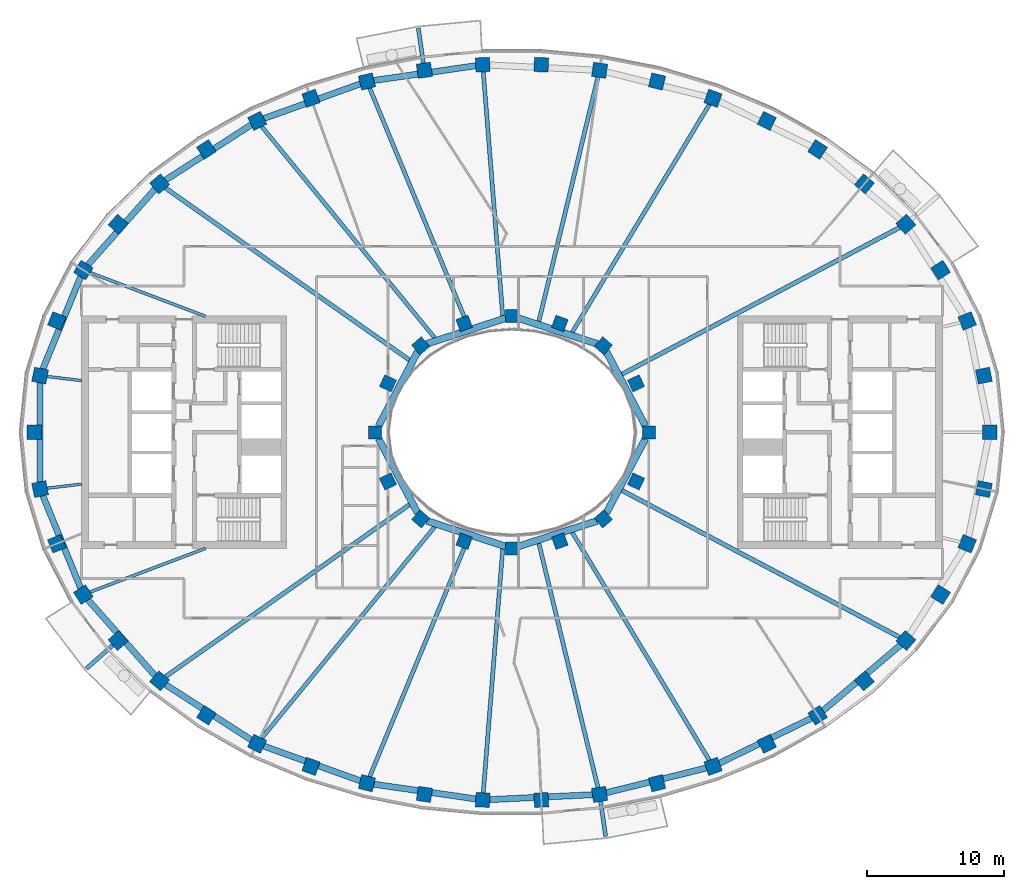
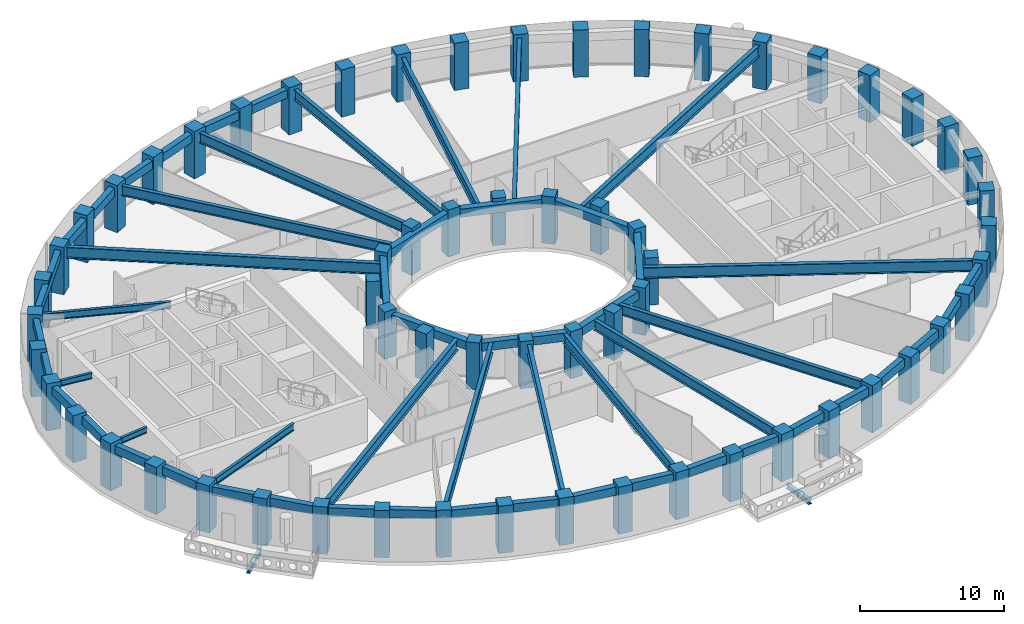
# One storey, part 1 of 16: 62 columns, 44 beams.
"""IFC4 building model written with IfcOpenShell, lengths in metres."""

import ifcopenshell
import ifcopenshell.guid

model = None  # the IFC model being written
_history = None  # IfcOwnerHistory: only IFC2X3 demands one
_inside = {}  # id of a spatial element -> (the spatial element, [elements in it])
_under = {}  # id of a project, library or spatial element -> (it, [spatial elements below it])
_declared = {}  # id of a project -> (the project, [libraries it declares])
_typed = {}  # id of a type object -> (the type object, [elements of that type])
_made_of = {}  # id of a material, layer set ... -> (it, [elements and type objects made of it])


def new_model(schema):
    """Start an empty IFC model of exactly this schema.

    Asked for "IFC4X3", IfcOpenShell would pick the latest addendum, in which some entities
    have other attributes; the version numbers below select the first issue.
    IFC2X3 requires an IfcOwnerHistory on every rooted entity: one is made here for all.
    """
    global model, _history
    if schema == "IFC4X3":
        model = ifcopenshell.file(schema_version=(4, 3, 0, 0))
    else:
        model = ifcopenshell.file(schema=schema)
    _inside.clear()
    _under.clear()
    _declared.clear()
    _typed.clear()
    _made_of.clear()
    _history = None
    if model.schema == "IFC2X3":
        org = make("IfcOrganization", Name="unknown")
        user = make(
            "IfcPersonAndOrganization",
            ThePerson=make("IfcPerson", FamilyName="unknown"),
            TheOrganization=org,
        )
        app = make(
            "IfcApplication",
            ApplicationDeveloper=org,
            Version="unknown",
            ApplicationFullName="unknown",
            ApplicationIdentifier="unknown",
        )
        _history = make(
            "IfcOwnerHistory",
            OwningUser=user,
            OwningApplication=app,
            ChangeAction="ADDED",
            CreationDate=0,
        )
    return model


def make(cls, **values):
    """One entity of the class cls with the attributes given. An attribute that is None is left unset."""
    return model.create_entity(
        cls, **{name: value for name, value in values.items() if value is not None}
    )


def rooted(cls, **values):
    """An entity with a GlobalId (a new one), such as an element, a storey or a relation."""
    return make(cls, GlobalId=ifcopenshell.guid.new(), OwnerHistory=_history, **values)


def si_unit(unit_type, name, prefix=None):
    """IfcSIUnit, for example si_unit("LENGTHUNIT", "METRE", prefix="MILLI")."""
    return make("IfcSIUnit", UnitType=unit_type, Prefix=prefix, Name=name)


def assignment(units):
    """IfcUnitAssignment: the units of a project."""
    return None if units is None else make("IfcUnitAssignment", Units=units)


def point(xyz):
    """IfcCartesianPoint."""
    return None if xyz is None else make("IfcCartesianPoint", Coordinates=xyz)


def direction(xyz):
    """IfcDirection."""
    return None if xyz is None else make("IfcDirection", DirectionRatios=xyz)


def frame(location, z_axis=None, x_axis=None):
    """IfcAxis2Placement3D, a coordinate frame: its origin and axes. An axis left out is left unset."""
    return make(
        "IfcAxis2Placement3D",
        Location=point(location),
        Axis=direction(z_axis),
        RefDirection=direction(x_axis),
    )


def frame_2d(location, x_axis=None):
    """IfcAxis2Placement2D, a coordinate frame in the plane: its origin and x axis."""
    return make(
        "IfcAxis2Placement2D", Location=point(location), RefDirection=direction(x_axis)
    )


def origin():
    """The frame at (0, 0, 0) with its axes left unset."""
    return frame((0.0, 0.0, 0.0))


def origin_2d():
    """The frame at (0, 0) in the plane with its x axis left unset."""
    return frame_2d((0.0, 0.0))


def place(relative_to, where):
    """IfcLocalPlacement: puts the frame where relative to a parent placement (None: the world)."""
    return make(
        "IfcLocalPlacement", PlacementRelTo=relative_to, RelativePlacement=where
    )


def context(
    kind, dimensions, precision=None, world=None, true_north=None, identifier=None
):
    """IfcGeometricRepresentationContext, for example the 3D "Model" context."""
    return make(
        "IfcGeometricRepresentationContext",
        ContextIdentifier=identifier,
        ContextType=kind,
        CoordinateSpaceDimension=dimensions,
        Precision=precision,
        WorldCoordinateSystem=world,
        TrueNorth=true_north,
    )


def subcontext(parent, identifier, kind, view, scale=None):
    """IfcGeometricRepresentationSubContext, for example "Body" below "Model"."""
    return make(
        "IfcGeometricRepresentationSubContext",
        ContextIdentifier=identifier,
        ContextType=kind,
        ParentContext=parent,
        TargetScale=scale,
        TargetView=view,
    )


def project(units=None, contexts=None):
    """IfcProject with its units and contexts."""
    return rooted(
        "IfcProject",
        Name="project",
        RepresentationContexts=contexts,
        UnitsInContext=assignment(units),
    )


def spatial(cls, under=None, at=None, **own):
    """A site, building, storey or space (cls), placed at a placement, below another one or the project."""
    s = rooted(cls, ObjectPlacement=at, **own)
    if under is not None:
        _under.setdefault(under.id(), (under, []))[1].append(s)
    return s


def profile(cls, at=None, kind="AREA", **sizes):
    """A parametric profile (cls). Its sizes go by their IFC names, for example OverallWidth=200.0."""
    return make(cls, ProfileType=kind, Position=at, **sizes)


def rectangle(**sizes):
    """IfcRectangleProfileDef."""
    return profile("IfcRectangleProfileDef", **sizes)


def i_section(**sizes):
    """IfcIShapeProfileDef."""
    return profile("IfcIShapeProfileDef", **sizes)


def extrude(swept, where, along, depth):
    """IfcExtrudedAreaSolid: the profile swept, set in the frame where, extruded along a direction by depth."""
    return make(
        "IfcExtrudedAreaSolid",
        SweptArea=swept,
        Position=where,
        ExtrudedDirection=direction(along),
        Depth=depth,
    )


def shape(context_of_items, identifier, shape_type, items):
    """IfcShapeRepresentation: the items that make up one representation, for example the "Body"."""
    return make(
        "IfcShapeRepresentation",
        ContextOfItems=context_of_items,
        RepresentationIdentifier=identifier,
        RepresentationType=shape_type,
        Items=items,
    )


def material(Name=None, Category=None):
    """IfcMaterial."""
    return make("IfcMaterial", Name=Name, Category=Category)


def material_profile(
    of_material, cross_section, Name=None, Category=None, Priority=None
):
    """IfcMaterialProfile: a cross section and its material."""
    return make(
        "IfcMaterialProfile",
        Name=Name,
        Material=of_material,
        Profile=cross_section,
        Priority=Priority,
        Category=Category,
    )


def profile_set(profiles, Name=None, composite=None):
    """IfcMaterialProfileSet."""
    return make(
        "IfcMaterialProfileSet",
        Name=Name,
        MaterialProfiles=profiles,
        CompositeProfile=composite,
    )


def made_of(thing, what):
    """Note that an element or type object is made of a material, layer set ...; save() writes the relation."""
    if what is not None:
        _made_of.setdefault(what.id(), (what, []))[1].append(thing)
    return thing


def type_object(cls, material=None, **own):
    """A type object (cls), such as IfcWallType, which elements share."""
    return made_of(rooted(cls, **own), material)


def element(
    cls,
    number,
    at=None,
    inside=None,
    cuts=None,
    type_object=None,
    material=None,
    context=None,
    identifier="Body",
    shape_type=None,
    held_by="IfcProductDefinitionShape",
    body=None,
    shapes=None,
    **own,
):
    """One element of the class cls, such as IfcWall. Its Tag is "e" and its number.

    at: its placement. inside: the storey or other place that contains it. cuts: it is an
    opening in that element (IfcRelVoidsElement). A single representation is given by context,
    identifier, shape_type and body (its items); several are given by shapes. held_by: the class
    of the entity that holds the representations. save() writes the other relations.
    """
    e = rooted(cls, Tag="e%d" % number, ObjectPlacement=at, **own)
    if body is not None:
        shapes = [shape(context, identifier, shape_type, body)]
    if shapes is not None:
        e.Representation = make(held_by, Representations=shapes)
    if inside is not None:
        _inside.setdefault(inside.id(), (inside, []))[1].append(e)
    if cuts is not None:
        rooted(
            "IfcRelVoidsElement", RelatingBuildingElement=cuts, RelatedOpeningElement=e
        )
    if type_object is not None:
        _typed.setdefault(type_object.id(), (type_object, []))[1].append(e)
    return made_of(e, material)


def aggregate(whole, parts):
    """IfcRelAggregates: a whole, such as a stair, and the parts it consists of."""
    return rooted("IfcRelAggregates", RelatingObject=whole, RelatedObjects=parts)


def save(model, path):
    """Write the relations noted so far, then the file.

    IfcRelAggregates (storeys below a building ...), IfcRelContainedInSpatialStructure (elements
    in a storey), IfcRelDefinesByType, IfcRelAssociatesMaterial and IfcRelDeclares: one each for
    every whole, place, type object, material and project.
    """
    for whole, parts in _under.values():
        aggregate(whole, parts)
    for where, things in _inside.values():
        rooted(
            "IfcRelContainedInSpatialStructure",
            RelatedElements=things,
            RelatingStructure=where,
        )
    for kind, things in _typed.values():
        rooted("IfcRelDefinesByType", RelatedObjects=things, RelatingType=kind)
    for what, things in _made_of.values():
        rooted("IfcRelAssociatesMaterial", RelatedObjects=things, RelatingMaterial=what)
    for by, libraries in _declared.values():
        rooted("IfcRelDeclares", RelatingContext=by, RelatedDefinitions=libraries)
    model.write(path)


model = new_model("IFC4")

# Units and contexts
model_context = context("Model", 3, precision=1e-05, world=origin(), true_north=direction((0.0, 1.0)))
body_context = subcontext(model_context, "Body", "Model", "MODEL_VIEW")
ifc_project = project(units=[si_unit("LENGTHUNIT", "METRE"), si_unit("AREAUNIT", "SQUARE_METRE"), si_unit("VOLUMEUNIT", "CUBIC_METRE"), si_unit("PLANEANGLEUNIT", "RADIAN"), si_unit("MASSUNIT", "GRAM", prefix="KILO")], contexts=[model_context])

# Site, building, storey
site_placement = place(None, origin())
site = spatial("IfcSite", under=ifc_project, at=site_placement, CompositionType="ELEMENT")
building_placement = place(site_placement, origin())
building = spatial("IfcBuilding", under=site, at=building_placement, Name="Noorbagh Ring Tower", CompositionType="ELEMENT")
storey_placement = place(building_placement, frame((0.0, 0.0, 281.5)))
storey = spatial("IfcBuildingStorey", under=building, at=storey_placement, Name="L60", CompositionType="ELEMENT", Elevation=281.5)

# Columns
ifc_material_1 = material(Name="Concrete C50/60", Category="concrete")
ifc_material_profile_1 = material_profile(ifc_material_1, rectangle(XDim=1.050048828125, YDim=1.050048828125, at=origin_2d()), Name="RC1050x1050")
ifc_profile_set_1 = profile_set([ifc_material_profile_1], Name="Concrete C50/60")
column_type_1 = type_object("IfcColumnType", Name="STR-COL-RC1050x1050-C50-60", PredefinedType="COLUMN", material=ifc_profile_set_1)
for number, where, z_axis, x_axis, name in (
    (1, (34.944580078125, 0.0, 0.0), (0.0, 0.0, 1.0), (0.0, 1.0, 0.0), "L60/col/R1-01"),
    (2, (34.52685546875, 4.150634765625, 0.0), (0.0, 0.0, 1.0), (-0.19723040178, 0.9803571638, 0.0), "L60/col/R1-02"),
    (3, (33.30517578125, 8.1494140625, 0.0), (0.0, 0.0, 1.0), (-0.378989499959, 0.925400971969, 0.0), "L60/col/R1-03"),
    (4, (31.364990234375, 11.87109375, 0.0), (0.0, 0.0, 1.0), (-0.535190403059, 0.844731455833, 0.0), "L60/col/R1-04"),
    (5, (28.81884765625, 15.23046875, 0.0), (0.0, 0.0, 1.0), (-0.662635642662, 0.748941923699, 0.0), "L60/col/R1-05"),
    (6, (25.78271484375, 18.180419921875, 0.0), (0.0, 0.0, 1.0), (-0.763035199656, 0.646356932419, 0.0), "L60/col/R1-06"),
    (7, (22.362060546875, 20.699951171875, 0.0), (0.0, 0.0, 1.0), (-0.840247639643, 0.542202825586, 0.0), "L60/col/R1-07"),
    (8, (18.646240234375, 22.785400390625, 0.0), (0.0, 0.0, 1.0), (-0.898399080868, 0.439180021741, 0.0), "L60/col/R1-08"),
    (9, (14.70947265625, 24.44091796875, 0.0), (0.0, 0.0, 1.0), (-0.941024726094, 0.338337797003, 0.0), "L60/col/R1-09"),
    (10, (10.61328125, 25.673583984375, 0.0), (0.0, 0.0, 1.0), (-0.970829360981, 0.239771457553, 0.0), "L60/col/R1-10"),
    (11, (6.4091796875, 26.49072265625, 0.0), (0.0, 0.0, 1.0), (-0.989713114048, 0.143066249975, 0.0), "L60/col/R1-11"),
    (12, (2.14306640625, 26.89794921875, 0.0), (0.0, 0.0, 1.0), (-0.998868731212, 0.047552684538, 0.0), "L60/col/R1-12"),
    (13, (-2.14306640625, 26.89794921875, 0.0), (0.0, 0.0, 1.0), (-0.998868731212, -0.047552684538, 0.0), "L60/col/R1-13"),
    (14, (-6.4091796875, 26.49072265625, 0.0), (0.0, 0.0, 1.0), (-0.989713114048, -0.143066249975, 0.0), "L60/col/R1-14"),
    (15, (-10.61328125, 25.673583984375, 0.0), (0.0, 0.0, 1.0), (-0.970829360981, -0.239771457553, 0.0), "L60/col/R1-15"),
    (16, (-14.70947265625, 24.44091796875, 0.0), (0.0, 0.0, 1.0), (-0.941024726094, -0.338337797003, 0.0), "L60/col/R1-16"),
    (17, (-18.646240234375, 22.785400390625, 0.0), (0.0, 0.0, 1.0), (-0.898399080868, -0.439180021741, 0.0), "L60/col/R1-17"),
    (18, (-22.362060546875, 20.699951171875, 0.0), (0.0, 0.0, 1.0), (-0.840247639643, -0.542202825586, 0.0), "L60/col/R1-18"),
    (19, (-25.78271484375, 18.180419921875, 0.0), (0.0, 0.0, 1.0), (-0.763035199656, -0.646356932419, 0.0), "L60/col/R1-19"),
    (20, (-28.81884765625, 15.23046875, 0.0), (0.0, 0.0, 1.0), (-0.662635642662, -0.748941923699, 0.0), "L60/col/R1-20"),
    (21, (-31.364990234375, 11.87109375, 0.0), (0.0, 0.0, 1.0), (-0.535190403059, -0.844731455833, 0.0), "L60/col/R1-21"),
    (22, (-33.30517578125, 8.1494140625, 0.0), (0.0, 0.0, 1.0), (-0.378989499959, -0.925400971969, 0.0), "L60/col/R1-22"),
    (23, (-34.52685546875, 4.150634765625, 0.0), (0.0, 0.0, 1.0), (-0.19723040178, -0.9803571638, 0.0), "L60/col/R1-23"),
    (24, (-34.944580078125, 0.0, 0.0), (0.0, 0.0, 1.0), (0.0, -1.0, 0.0), "L60/col/R1-24"),
    (25, (-34.52685546875, -4.150634765625, 0.0), (0.0, 0.0, 1.0), (0.19723040178, -0.9803571638, 0.0), "L60/col/R1-25"),
    (26, (-33.30517578125, -8.1494140625, 0.0), (0.0, 0.0, 1.0), (0.378989499959, -0.925400971969, 0.0), "L60/col/R1-26"),
    (27, (-31.364990234375, -11.87109375, 0.0), (0.0, 0.0, 1.0), (0.535190403059, -0.844731455833, 0.0), "L60/col/R1-27"),
    (28, (-28.81884765625, -15.23046875, 0.0), (0.0, 0.0, 1.0), (0.662635642662, -0.748941923699, 0.0), "L60/col/R1-28"),
    (29, (-25.78271484375, -18.180419921875, 0.0), (0.0, 0.0, 1.0), (0.763035199656, -0.646356932419, 0.0), "L60/col/R1-29"),
    (30, (-22.362060546875, -20.699951171875, 0.0), (0.0, 0.0, 1.0), (0.840247639643, -0.542202825586, 0.0), "L60/col/R1-30"),
    (31, (-18.646240234375, -22.785400390625, 0.0), (0.0, 0.0, 1.0), (0.898399080868, -0.439180021741, 0.0), "L60/col/R1-31"),
    (32, (-14.70947265625, -24.44091796875, 0.0), (0.0, 0.0, 1.0), (0.941024726094, -0.338337797003, 0.0), "L60/col/R1-32"),
    (33, (-10.61328125, -25.673583984375, 0.0), (0.0, 0.0, 1.0), (0.970829360981, -0.239771457553, 0.0), "L60/col/R1-33"),
    (34, (-6.4091796875, -26.49072265625, 0.0), (0.0, 0.0, 1.0), (0.989713114048, -0.143066249975, 0.0), "L60/col/R1-34"),
    (35, (-2.14306640625, -26.89794921875, 0.0), (0.0, 0.0, 1.0), (0.998868731212, -0.047552684538, 0.0), "L60/col/R1-35"),
    (36, (2.14306640625, -26.89794921875, 0.0), (0.0, 0.0, 1.0), (0.998868731212, 0.047552684538, 0.0), "L60/col/R1-36"),
    (37, (6.4091796875, -26.49072265625, 0.0), (0.0, 0.0, 1.0), (0.989713114048, 0.143066249975, 0.0), "L60/col/R1-37"),
    (38, (10.61328125, -25.673583984375, 0.0), (0.0, 0.0, 1.0), (0.970829360981, 0.239771457553, 0.0), "L60/col/R1-38"),
    (39, (14.70947265625, -24.44091796875, 0.0), (0.0, 0.0, 1.0), (0.941024726094, 0.338337797003, 0.0), "L60/col/R1-39"),
    (40, (18.646240234375, -22.785400390625, 0.0), (0.0, 0.0, 1.0), (0.898399080868, 0.439180021741, 0.0), "L60/col/R1-40"),
    (41, (22.362060546875, -20.699951171875, 0.0), (0.0, 0.0, 1.0), (0.840247639643, 0.542202825586, 0.0), "L60/col/R1-41"),
    (42, (25.78271484375, -18.180419921875, 0.0), (0.0, 0.0, 1.0), (0.763035199656, 0.646356932419, 0.0), "L60/col/R1-42"),
    (43, (28.81884765625, -15.23046875, 0.0), (0.0, 0.0, 1.0), (0.662635642662, 0.748941923699, 0.0), "L60/col/R1-43"),
    (44, (31.364990234375, -11.87109375, 0.0), (0.0, 0.0, 1.0), (0.535190403059, 0.844731455833, 0.0), "L60/col/R1-44"),
    (45, (33.30517578125, -8.1494140625, 0.0), (0.0, 0.0, 1.0), (0.378989499959, 0.925400971969, 0.0), "L60/col/R1-45"),
    (46, (34.52685546875, -4.150634765625, 0.0), (0.0, 0.0, 1.0), (0.19723040178, 0.9803571638, 0.0), "L60/col/R1-46"),
):
    element("IfcColumn", number, at=place(storey_placement, frame(where, z_axis=z_axis, x_axis=x_axis)), inside=storey, type_object=column_type_1, Name=name, PredefinedType="COLUMN", context=body_context, shape_type="SweptSolid", body=[
        extrude(rectangle(XDim=1.050048828125, YDim=1.050048828125, at=origin_2d()), origin(), (0.0, 0.0, 1.0), 4.0),
    ])
ifc_material_2 = material(Name="Concrete C50/60", Category="concrete")
ifc_material_profile_2 = material_profile(ifc_material_2, rectangle(XDim=0.949951171875, YDim=0.949951171875, at=origin_2d()), Name="RC950x950")
ifc_profile_set_2 = profile_set([ifc_material_profile_2], Name="Concrete C50/60")
column_type_2 = type_object("IfcColumnType", Name="STR-ICOL-RC950x950-C50-60", PredefinedType="COLUMN", material=ifc_profile_set_2)
for number, where, z_axis, x_axis, name in (
    (47, (10.00830078125, 0.0, 0.0), (0.0, 0.0, 1.0), (0.0, 1.0, 0.0), "L60/col/IR2-W01"),
    (48, (9.07568359375, 3.58837890625, 0.0), (0.0, 0.0, 1.0), (-0.428666979171, 0.903462573087, 0.0), "L60/col/IR2-W03"),
    (49, (6.68212890625, 6.333740234375, 0.0), (0.0, 0.0, 1.0), (-0.75102249095, 0.660276622399, 0.0), "L60/col/IR2-W05"),
    (50, (3.5009765625, 7.967041015625, 0.0), (0.0, 0.0, 1.0), (-0.939019578916, 0.343863679984, 0.0), "L60/col/IR2-W07"),
    (51, (0.0, 8.5029296875, 0.0), (0.0, 0.0, 1.0), (-1.0, 0.0, 0.0), "L60/col/IR2-W09"),
    (52, (-3.5009765625, 7.967041015625, 0.0), (0.0, 0.0, 1.0), (-0.939019578916, -0.343863679984, 0.0), "L60/col/IR2-W11"),
    (53, (-6.68212890625, 6.333740234375, 0.0), (0.0, 0.0, 1.0), (-0.75102249095, -0.660276622399, 0.0), "L60/col/IR2-W13"),
    (54, (-9.07568359375, 3.58837890625, 0.0), (0.0, 0.0, 1.0), (-0.428666979171, -0.903462573087, 0.0), "L60/col/IR2-W15"),
    (55, (-10.00830078125, 0.0, 0.0), (0.0, 0.0, 1.0), (0.0, -1.0, 0.0), "L60/col/IR2-W17"),
    (56, (-9.07568359375, -3.58837890625, 0.0), (0.0, 0.0, 1.0), (0.428666979171, -0.903462573087, 0.0), "L60/col/IR2-W19"),
    (57, (-6.68212890625, -6.333740234375, 0.0), (0.0, 0.0, 1.0), (0.75102249095, -0.660276622399, 0.0), "L60/col/IR2-W21"),
    (58, (-3.5009765625, -7.967041015625, 0.0), (0.0, 0.0, 1.0), (0.939019578916, -0.343863679984, 0.0), "L60/col/IR2-W23"),
    (59, (0.0, -8.5029296875, 0.0), (0.0, 0.0, 1.0), (1.0, 0.0, 0.0), "L60/col/IR2-W25"),
    (60, (3.5009765625, -7.967041015625, 0.0), (0.0, 0.0, 1.0), (0.939019578916, 0.343863679984, 0.0), "L60/col/IR2-W27"),
    (61, (6.68212890625, -6.333740234375, 0.0), (0.0, 0.0, 1.0), (0.75102249095, 0.660276622399, 0.0), "L60/col/IR2-W29"),
    (62, (9.07568359375, -3.58837890625, 0.0), (0.0, 0.0, 1.0), (0.428666979171, 0.903462573087, 0.0), "L60/col/IR2-W31"),
):
    element("IfcColumn", number, at=place(storey_placement, frame(where, z_axis=z_axis, x_axis=x_axis)), inside=storey, type_object=column_type_2, Name=name, PredefinedType="COLUMN", context=body_context, shape_type="SweptSolid", body=[
        extrude(rectangle(XDim=0.949951171875, YDim=0.949951171875, at=origin_2d()), origin(), (0.0, 0.0, 1.0), 4.0),
    ])

# Beams
ifc_material_3 = material(Name="Steel S355", Category="steel")
ifc_material_profile_3 = material_profile(ifc_material_3, i_section(OverallWidth=0.300048828125, OverallDepth=0.39990234375, WebThickness=0.013427734375, FlangeThickness=0.02392578125, FilletRadius=0.027099609375, at=origin_2d()), Name="HEB400")
ifc_profile_set_3 = profile_set([ifc_material_profile_3], Name="Steel S355")
beam_type_1 = type_object("IfcBeamType", Name="STR-BALCONY-BRACKET-HEB400", PredefinedType="BEAM", material=ifc_profile_set_3)
beam_1_placement = place(storey_placement, frame((-6.4814453125, 26.99072265625, -0.5), z_axis=(-0.143078349205, 0.989711364989, 0.0), x_axis=(-0.989711364989, -0.143078349205, 0.0)))
element("IfcBeam", 63, at=beam_1_placement, inside=storey, type_object=beam_type_1, Name="Balcony bracket beam BN04", PredefinedType="BEAM", context=body_context, shape_type="SweptSolid", body=[
    extrude(i_section(OverallWidth=0.300048828125, OverallDepth=0.39990234375, WebThickness=0.013427734375, FlangeThickness=0.02392578125, FilletRadius=0.027099609375, at=origin_2d()), origin(), (0.0, 0.0, 1.0), 2.598876953125),
])
beam_2_placement = place(storey_placement, frame((-29.197021484375, -15.565185546875, -0.5), z_axis=(-0.749087807423, -0.662470721444, 0.0), x_axis=(0.662470721444, -0.749087807423, 0.0)))
element("IfcBeam", 64, at=beam_2_placement, inside=storey, type_object=beam_type_1, Name="Balcony bracket beam BS01", PredefinedType="BEAM", context=body_context, shape_type="SweptSolid", body=[
    extrude(i_section(OverallWidth=0.300048828125, OverallDepth=0.39990234375, WebThickness=0.013427734375, FlangeThickness=0.02392578125, FilletRadius=0.027099609375, at=origin_2d()), origin(), (0.0, 0.0, 1.0), 2.6044921875),
])
beam_3_placement = place(storey_placement, frame((6.4814453125, -26.99072265625, -0.5), z_axis=(0.143078349205, -0.989711364989, 0.0), x_axis=(0.989711364989, 0.143078349205, 0.0)))
element("IfcBeam", 65, at=beam_3_placement, inside=storey, type_object=beam_type_1, Name="Balcony bracket beam BS04", PredefinedType="BEAM", context=body_context, shape_type="SweptSolid", body=[
    extrude(i_section(OverallWidth=0.300048828125, OverallDepth=0.39990234375, WebThickness=0.013427734375, FlangeThickness=0.02392578125, FilletRadius=0.027099609375, at=origin_2d()), origin(), (0.0, 0.0, 1.0), 2.598876953125),
])
ifc_material_4 = material(Name="Steel S355", Category="steel")
ifc_material_profile_4 = material_profile(ifc_material_4, i_section(OverallWidth=0.199951171875, OverallDepth=0.5, WebThickness=0.01025390625, FlangeThickness=0.01611328125, FilletRadius=0.02099609375, at=origin_2d()), Name="IPE500")
ifc_profile_set_4 = profile_set([ifc_material_profile_4], Name="Steel S355")
beam_type_2 = type_object("IfcBeamType", Name="STR-RAD-IPE500", PredefinedType="BEAM", material=ifc_profile_set_4)
for number, where, z_axis, x_axis, name in (
    (66, (-34.023681640625, 4.090087890625, 3.449951171875), (0.992856079473, -0.119318085189, 0.0), (0.119318085189, 0.992856079473, 0.0), "L60/bm/RD23"),
    (67, (-34.023681640625, -4.090087890625, 3.449951171875), (0.992856079473, 0.119318085189, 0.0), (-0.119318085189, 0.992856079473, 0.0), "L60/bm/RD25"),
):
    element("IfcBeam", number, at=place(storey_placement, frame(where, z_axis=z_axis, x_axis=x_axis)), inside=storey, type_object=beam_type_2, Name=name, PredefinedType="BEAM", context=body_context, shape_type="SweptSolid", body=[
        extrude(i_section(OverallWidth=0.199951171875, OverallDepth=0.5, WebThickness=0.01025390625, FlangeThickness=0.01611328125, FilletRadius=0.02099609375, at=origin_2d()), origin(), (0.0, 0.0, 1.0), 2.561767578125),
    ])
ifc_material_5 = material(Name="Steel S355", Category="steel")
ifc_material_profile_5 = material_profile(ifc_material_5, i_section(OverallWidth=0.219970703125, OverallDepth=0.60009765625, WebThickness=0.011962890625, FlangeThickness=0.01904296875, FilletRadius=0.02392578125, at=origin_2d()), Name="IPE600")
ifc_profile_set_5 = profile_set([ifc_material_profile_5], Name="Steel S355")
beam_type_3 = type_object("IfcBeamType", Name="STR-RAD-IPE600", PredefinedType="BEAM", material=ifc_profile_set_5)
for number, where, z_axis, x_axis, name in (
    (68, (-30.88232421875, 11.688232421875, 3.39990234375), (0.93525673757, -0.353970104431, 0.0), (0.353970104431, 0.93525673757, 0.0), "L60/bm/RD21"),
    (69, (-30.88232421875, -11.688232421875, 3.39990234375), (0.93525673757, 0.353970104431, 0.0), (-0.353970104431, 0.93525673757, 0.0), "L60/bm/RD27"),
):
    element("IfcBeam", number, at=place(storey_placement, frame(where, z_axis=z_axis, x_axis=x_axis)), inside=storey, type_object=beam_type_3, Name=name, PredefinedType="BEAM", context=body_context, shape_type="SweptSolid", body=[
        extrude(i_section(OverallWidth=0.219970703125, OverallDepth=0.60009765625, WebThickness=0.011962890625, FlangeThickness=0.01904296875, FilletRadius=0.02392578125, at=origin_2d()), origin(), (0.0, 0.0, 1.0), 9.027099609375),
    ])
ifc_material_6 = material(Name="Steel S355", Category="steel")
ifc_material_profile_6 = material_profile(ifc_material_6, i_section(OverallWidth=0.300048828125, OverallDepth=0.85009765625, WebThickness=0.013916015625, FlangeThickness=0.028076171875, at=origin_2d()), Name="PG850x300x14x28")
ifc_profile_set_6 = profile_set([ifc_material_profile_6], Name="Steel S355")
beam_type_4 = type_object("IfcBeamType", Name="STR-RAD-PG850x300x14x28", PredefinedType="BEAM", material=ifc_profile_set_6)
beam_4_placement = place(storey_placement, frame((14.44384765625, 23.999267578125, 3.27490234375), z_axis=(-0.515656906989, -0.856795164712, 0.0), x_axis=(0.856795164712, -0.515656906989, 0.0)))
element("IfcBeam", 70, at=beam_4_placement, inside=storey, type_object=beam_type_4, Name="L60/bm/RD09", PredefinedType="BEAM", context=body_context, shape_type="SweptSolid", body=[
    extrude(i_section(OverallWidth=0.300048828125, OverallDepth=0.85009765625, WebThickness=0.013916015625, FlangeThickness=0.028076171875, at=origin_2d()), origin(), (0.0, 0.0, 1.0), 19.471923828125),
])
beam_5_placement = place(storey_placement, frame((6.2900390625, 25.997802734375, 3.27490234375), z_axis=(-0.23516000693, -0.971956671432, 0.0), x_axis=(0.971956671432, -0.23516000693, 0.0)))
element("IfcBeam", 71, at=beam_5_placement, inside=storey, type_object=beam_type_4, Name="L60/bm/RD11", PredefinedType="BEAM", context=body_context, shape_type="SweptSolid", body=[
    extrude(i_section(OverallWidth=0.300048828125, OverallDepth=0.85009765625, WebThickness=0.013916015625, FlangeThickness=0.028076171875, at=origin_2d()), origin(), (0.0, 0.0, 1.0), 18.406005859375),
])
beam_6_placement = place(storey_placement, frame((-2.10302734375, 26.394287109375, 3.27490234375), z_axis=(0.079426932636, -0.996840690568, 0.0), x_axis=(0.996840690568, 0.079426932636, 0.0)))
element("IfcBeam", 72, at=beam_6_placement, inside=storey, type_object=beam_type_4, Name="L60/bm/RD13", PredefinedType="BEAM", context=body_context, shape_type="SweptSolid", body=[
    extrude(i_section(OverallWidth=0.300048828125, OverallDepth=0.85009765625, WebThickness=0.013916015625, FlangeThickness=0.028076171875, at=origin_2d()), origin(), (0.0, 0.0, 1.0), 17.92626953125),
])
beam_7_placement = place(storey_placement, frame((-10.41796875, 25.201416015625, 3.27490234375), z_axis=(0.382034660206, -0.924147995941, 0.0), x_axis=(0.924147995941, 0.382034660206, 0.0)))
element("IfcBeam", 73, at=beam_7_placement, inside=storey, type_object=beam_type_4, Name="L60/bm/RD15", PredefinedType="BEAM", context=body_context, shape_type="SweptSolid", body=[
    extrude(i_section(OverallWidth=0.300048828125, OverallDepth=0.85009765625, WebThickness=0.013916015625, FlangeThickness=0.028076171875, at=origin_2d()), origin(), (0.0, 0.0, 1.0), 18.9267578125),
])
for number, where, z_axis, x_axis, name in (
    (74, (-18.3173828125, 22.383544921875, 3.27490234375), (0.633312925982, -0.77389581843, 0.0), (0.77389581843, 0.633312925982, 0.0), "L60/bm/RD17"),
    (75, (-18.3173828125, -22.383544921875, 3.27490234375), (0.633312925982, 0.77389581843, 0.0), (-0.77389581843, 0.633312925982, 0.0), "L60/bm/RD31"),
):
    element("IfcBeam", number, at=place(storey_placement, frame(where, z_axis=z_axis, x_axis=x_axis)), inside=storey, type_object=beam_type_4, Name=name, PredefinedType="BEAM", context=body_context, shape_type="SweptSolid", body=[
        extrude(i_section(OverallWidth=0.300048828125, OverallDepth=0.85009765625, WebThickness=0.013916015625, FlangeThickness=0.028076171875, at=origin_2d()), origin(), (0.0, 0.0, 1.0), 19.993896484375),
    ])
beam_8_placement = place(storey_placement, frame((-10.41796875, -25.201416015625, 3.27490234375), z_axis=(0.382034660206, 0.924147995941, 0.0), x_axis=(-0.924147995941, 0.382034660206, 0.0)))
element("IfcBeam", 76, at=beam_8_placement, inside=storey, type_object=beam_type_4, Name="L60/bm/RD33", PredefinedType="BEAM", context=body_context, shape_type="SweptSolid", body=[
    extrude(i_section(OverallWidth=0.300048828125, OverallDepth=0.85009765625, WebThickness=0.013916015625, FlangeThickness=0.028076171875, at=origin_2d()), origin(), (0.0, 0.0, 1.0), 18.9267578125),
])
beam_9_placement = place(storey_placement, frame((-2.10302734375, -26.394287109375, 3.27490234375), z_axis=(0.079426932636, 0.996840690568, 0.0), x_axis=(-0.996840690568, 0.079426932636, 0.0)))
element("IfcBeam", 77, at=beam_9_placement, inside=storey, type_object=beam_type_4, Name="L60/bm/RD35", PredefinedType="BEAM", context=body_context, shape_type="SweptSolid", body=[
    extrude(i_section(OverallWidth=0.300048828125, OverallDepth=0.85009765625, WebThickness=0.013916015625, FlangeThickness=0.028076171875, at=origin_2d()), origin(), (0.0, 0.0, 1.0), 17.92626953125),
])
beam_10_placement = place(storey_placement, frame((6.2900390625, -25.997802734375, 3.27490234375), z_axis=(-0.23516000693, 0.971956671432, 0.0), x_axis=(-0.971956671432, -0.23516000693, 0.0)))
element("IfcBeam", 78, at=beam_10_placement, inside=storey, type_object=beam_type_4, Name="L60/bm/RD37", PredefinedType="BEAM", context=body_context, shape_type="SweptSolid", body=[
    extrude(i_section(OverallWidth=0.300048828125, OverallDepth=0.85009765625, WebThickness=0.013916015625, FlangeThickness=0.028076171875, at=origin_2d()), origin(), (0.0, 0.0, 1.0), 18.406005859375),
])
beam_11_placement = place(storey_placement, frame((14.44384765625, -23.999267578125, 3.27490234375), z_axis=(-0.515656906989, 0.856795164712, 0.0), x_axis=(-0.856795164712, -0.515656906989, 0.0)))
element("IfcBeam", 79, at=beam_11_placement, inside=storey, type_object=beam_type_4, Name="L60/bm/RD39", PredefinedType="BEAM", context=body_context, shape_type="SweptSolid", body=[
    extrude(i_section(OverallWidth=0.300048828125, OverallDepth=0.85009765625, WebThickness=0.013916015625, FlangeThickness=0.028076171875, at=origin_2d()), origin(), (0.0, 0.0, 1.0), 19.471923828125),
])
ifc_material_7 = material(Name="Steel S355", Category="steel")
ifc_material_profile_7 = material_profile(ifc_material_7, i_section(OverallWidth=0.320068359375, OverallDepth=0.949951171875, WebThickness=0.01611328125, FlangeThickness=0.030029296875, at=origin_2d()), Name="PG950x320x16x30")
ifc_profile_set_7 = profile_set([ifc_material_profile_7], Name="Steel S355")
beam_type_5 = type_object("IfcBeamType", Name="STR-RAD-PG950x320x16x30", PredefinedType="BEAM", material=ifc_profile_set_7)
beam_12_placement = place(storey_placement, frame((28.35888671875, 14.9873046875, 3.22509765625), z_axis=(-0.884128728226, -0.467243396878, 0.0), x_axis=(0.467243396878, -0.884128728226, 0.0)))
element("IfcBeam", 80, at=beam_12_placement, inside=storey, type_object=beam_type_5, Name="L60/bm/RD05", PredefinedType="BEAM", context=body_context, shape_type="SweptSolid", body=[
    extrude(i_section(OverallWidth=0.320068359375, OverallDepth=0.949951171875, WebThickness=0.01611328125, FlangeThickness=0.030029296875, at=origin_2d()), origin(), (0.0, 0.0, 1.0), 22.98486328125),
])
for number, where, z_axis, x_axis, name in (
    (81, (-25.355712890625, 17.87939453125, 3.22509765625), (0.817252873121, -0.57627922171, 0.0), (0.57627922171, 0.817252873121, 0.0), "L60/bm/RD19"),
    (82, (-25.355712890625, -17.87939453125, 3.22509765625), (0.817252873121, 0.57627922171, 0.0), (-0.57627922171, 0.817252873121, 0.0), "L60/bm/RD29"),
):
    element("IfcBeam", number, at=place(storey_placement, frame(where, z_axis=z_axis, x_axis=x_axis)), inside=storey, type_object=beam_type_5, Name=name, PredefinedType="BEAM", context=body_context, shape_type="SweptSolid", body=[
        extrude(i_section(OverallWidth=0.320068359375, OverallDepth=0.949951171875, WebThickness=0.01611328125, FlangeThickness=0.030029296875, at=origin_2d()), origin(), (0.0, 0.0, 1.0), 21.8564453125),
    ])
beam_13_placement = place(storey_placement, frame((28.35888671875, -14.9873046875, 3.22509765625), z_axis=(-0.884128728226, 0.467243396878, 0.0), x_axis=(-0.467243396878, -0.884128728226, 0.0)))
element("IfcBeam", 83, at=beam_13_placement, inside=storey, type_object=beam_type_5, Name="L60/bm/RD43", PredefinedType="BEAM", context=body_context, shape_type="SweptSolid", body=[
    extrude(i_section(OverallWidth=0.320068359375, OverallDepth=0.949951171875, WebThickness=0.01611328125, FlangeThickness=0.030029296875, at=origin_2d()), origin(), (0.0, 0.0, 1.0), 22.98486328125),
])
ifc_material_8 = material(Name="Concrete C40/50", Category="concrete")
ifc_material_profile_8 = material_profile(ifc_material_8, rectangle(XDim=0.5, YDim=0.699951171875, at=origin_2d()), Name="RC500x700")
ifc_profile_set_8 = profile_set([ifc_material_profile_8], Name="Concrete C40/50")
beam_type_6 = type_object("IfcBeamType", Name="STR-RB-RC500x700-C40-50", PredefinedType="BEAM", material=ifc_profile_set_8)
beam_14_placement = place(storey_placement, frame((9.768310546875, 0.457275390625, 3.35009765625), z_axis=(-0.464944392106, 0.885339885157, 0.0), x_axis=(-0.885339885157, -0.464944392106, 0.0)))
element("IfcBeam", 84, at=beam_14_placement, inside=storey, type_object=beam_type_6, Name="L60/bm/RG01", PredefinedType="BEAM", context=body_context, shape_type="SweptSolid", body=[
    extrude(rectangle(XDim=0.5, YDim=0.699951171875, at=origin_2d()), origin(), (0.0, 0.0, 1.0), 6.14892578125),
])
for number, where, z_axis, x_axis, name in (
    (85, (6.209228515625, 6.4873046875, 3.35009765625), (-0.951148201425, 0.308734673995, 0.0), (-0.308734673995, -0.951148201425, 0.0), "L60/bm/RG03"),
    (86, (-0.4560546875, 8.354736328125, 3.35009765625), (-0.951148201425, -0.308734673995, 0.0), (0.308734673995, -0.951148201425, 0.0), "L60/bm/RG05"),
):
    element("IfcBeam", number, at=place(storey_placement, frame(where, z_axis=z_axis, x_axis=x_axis)), inside=storey, type_object=beam_type_6, Name=name, PredefinedType="BEAM", context=body_context, shape_type="SweptSolid", body=[
        extrude(rectangle(XDim=0.5, YDim=0.699951171875, at=origin_2d()), origin(), (0.0, 0.0, 1.0), 6.048583984375),
    ])
for number, where, z_axis, x_axis, name in (
    (87, (-6.909423828125, 5.901123046875, 3.35009765625), (-0.464944392106, -0.885339885157, 0.0), (0.885339885157, -0.464944392106, 0.0), "L60/bm/RG07"),
    (88, (-9.768310546875, -0.457275390625, 3.35009765625), (0.464944392106, -0.885339885157, 0.0), (0.885339885157, 0.464944392106, 0.0), "L60/bm/RG09"),
):
    element("IfcBeam", number, at=place(storey_placement, frame(where, z_axis=z_axis, x_axis=x_axis)), inside=storey, type_object=beam_type_6, Name=name, PredefinedType="BEAM", context=body_context, shape_type="SweptSolid", body=[
        extrude(rectangle(XDim=0.5, YDim=0.699951171875, at=origin_2d()), origin(), (0.0, 0.0, 1.0), 6.14892578125),
    ])
for number, where, z_axis, x_axis, name in (
    (89, (-6.209228515625, -6.4873046875, 3.35009765625), (0.951148201425, -0.308734673995, 0.0), (0.308734673995, 0.951148201425, 0.0), "L60/bm/RG11"),
    (90, (0.4560546875, -8.354736328125, 3.35009765625), (0.951148201425, 0.308734673995, 0.0), (-0.308734673995, 0.951148201425, 0.0), "L60/bm/RG13"),
):
    element("IfcBeam", number, at=place(storey_placement, frame(where, z_axis=z_axis, x_axis=x_axis)), inside=storey, type_object=beam_type_6, Name=name, PredefinedType="BEAM", context=body_context, shape_type="SweptSolid", body=[
        extrude(rectangle(XDim=0.5, YDim=0.699951171875, at=origin_2d()), origin(), (0.0, 0.0, 1.0), 6.048583984375),
    ])
beam_15_placement = place(storey_placement, frame((6.909423828125, -5.901123046875, 3.35009765625), z_axis=(0.464944392106, 0.885339885157, 0.0), x_axis=(-0.885339885157, 0.464944392106, 0.0)))
element("IfcBeam", 91, at=beam_15_placement, inside=storey, type_object=beam_type_6, Name="L60/bm/RG15", PredefinedType="BEAM", context=body_context, shape_type="SweptSolid", body=[
    extrude(rectangle(XDim=0.5, YDim=0.699951171875, at=origin_2d()), origin(), (0.0, 0.0, 1.0), 6.14892578125),
])
ifc_material_9 = material(Name="Concrete C40/50", Category="concrete")
ifc_material_profile_9 = material_profile(ifc_material_9, rectangle(XDim=0.449951171875, YDim=0.699951171875, at=origin_2d()), Name="RC450x700")
ifc_profile_set_9 = profile_set([ifc_material_profile_9], Name="Concrete C40/50")
beam_type_7 = type_object("IfcBeamType", Name="STR-SB-RC450x700-C40-50", PredefinedType="BEAM", material=ifc_profile_set_9)
beam_16_placement = place(storey_placement, frame((-2.6455078125, 26.825439453125, 3.35009765625), z_axis=(-0.989713798568, -0.143061514477, 0.0), x_axis=(0.143061514477, -0.989713798568, 0.0)))
element("IfcBeam", 92, at=beam_16_placement, inside=storey, type_object=beam_type_7, Name="L60/bm/SP13", PredefinedType="BEAM", context=body_context, shape_type="SweptSolid", body=[
    extrude(rectangle(XDim=0.449951171875, YDim=0.699951171875, at=origin_2d()), origin(), (0.0, 0.0, 1.0), 7.54296875),
])
beam_17_placement = place(storey_placement, frame((-11.091064453125, 25.501708984375, 3.35009765625), z_axis=(-0.941025143763, -0.33833663533, 0.0), x_axis=(0.33833663533, -0.941025143763, 0.0)))
element("IfcBeam", 93, at=beam_17_placement, inside=storey, type_object=beam_type_7, Name="L60/bm/SP15", PredefinedType="BEAM", context=body_context, shape_type="SweptSolid", body=[
    extrude(rectangle(XDim=0.449951171875, YDim=0.699951171875, at=origin_2d()), origin(), (0.0, 0.0, 1.0), 7.5205078125),
])
beam_18_placement = place(storey_placement, frame((-19.07373046875, 22.509521484375, 3.35009765625), z_axis=(-0.840252970371, -0.542194564509, 0.0), x_axis=(0.542194564509, -0.840252970371, 0.0)))
element("IfcBeam", 94, at=beam_18_placement, inside=storey, type_object=beam_type_7, Name="L60/bm/SP17", PredefinedType="BEAM", context=body_context, shape_type="SweptSolid", body=[
    extrude(rectangle(XDim=0.449951171875, YDim=0.699951171875, at=origin_2d()), origin(), (0.0, 0.0, 1.0), 7.47509765625),
])
beam_19_placement = place(storey_placement, frame((-26.12109375, 17.798095703125, 3.35009765625), z_axis=(-0.662613733697, -0.748961307356, 0.0), x_axis=(0.748961307356, -0.662613733697, 0.0)))
element("IfcBeam", 95, at=beam_19_placement, inside=storey, type_object=beam_type_7, Name="L60/bm/SP19", PredefinedType="BEAM", context=body_context, shape_type="SweptSolid", body=[
    extrude(rectangle(XDim=0.449951171875, YDim=0.699951171875, at=origin_2d()), origin(), (0.0, 0.0, 1.0), 7.402099609375),
])
beam_20_placement = place(storey_placement, frame((-31.5595703125, 11.39599609375, 3.35009765625), z_axis=(-0.378991512565, -0.925400147722, 0.0), x_axis=(0.925400147722, -0.378991512565, 0.0)))
element("IfcBeam", 96, at=beam_20_placement, inside=storey, type_object=beam_type_7, Name="L60/bm/SP21", PredefinedType="BEAM", context=body_context, shape_type="SweptSolid", body=[
    extrude(rectangle(XDim=0.449951171875, YDim=0.699951171875, at=origin_2d()), origin(), (0.0, 0.0, 1.0), 7.314697265625),
])
beam_21_placement = place(storey_placement, frame((-34.52685546875, 3.63525390625, 3.35009765625), z_axis=(0.0, -1.0, 0.0), x_axis=(1.0, 0.0, 0.0)))
element("IfcBeam", 97, at=beam_21_placement, inside=storey, type_object=beam_type_7, Name="L60/bm/SP23", PredefinedType="BEAM", context=body_context, shape_type="SweptSolid", body=[
    extrude(rectangle(XDim=0.449951171875, YDim=0.699951171875, at=origin_2d()), origin(), (0.0, 0.0, 1.0), 7.2705078125),
])
beam_22_placement = place(storey_placement, frame((-34.331787109375, -4.626953125, 3.35009765625), z_axis=(0.378991512565, -0.925400147722, 0.0), x_axis=(0.925400147722, 0.378991512565, 0.0)))
element("IfcBeam", 98, at=beam_22_placement, inside=storey, type_object=beam_type_7, Name="L60/bm/SP25", PredefinedType="BEAM", context=body_context, shape_type="SweptSolid", body=[
    extrude(rectangle(XDim=0.449951171875, YDim=0.699951171875, at=origin_2d()), origin(), (0.0, 0.0, 1.0), 7.314697265625),
])
beam_23_placement = place(storey_placement, frame((-31.02587890625, -12.254150390625, 3.35009765625), z_axis=(0.662613733697, -0.748961307356, 0.0), x_axis=(0.748961307356, 0.662613733697, 0.0)))
element("IfcBeam", 99, at=beam_23_placement, inside=storey, type_object=beam_type_7, Name="L60/bm/SP27", PredefinedType="BEAM", context=body_context, shape_type="SweptSolid", body=[
    extrude(rectangle(XDim=0.449951171875, YDim=0.699951171875, at=origin_2d()), origin(), (0.0, 0.0, 1.0), 7.402099609375),
])
beam_24_placement = place(storey_placement, frame((-25.354736328125, -18.45654296875, 3.35009765625), z_axis=(0.840252970371, -0.542194564509, 0.0), x_axis=(0.542194564509, 0.840252970371, 0.0)))
element("IfcBeam", 100, at=beam_24_placement, inside=storey, type_object=beam_type_7, Name="L60/bm/SP29", PredefinedType="BEAM", context=body_context, shape_type="SweptSolid", body=[
    extrude(rectangle(XDim=0.449951171875, YDim=0.699951171875, at=origin_2d()), origin(), (0.0, 0.0, 1.0), 7.47509765625),
])
beam_25_placement = place(storey_placement, frame((-18.16796875, -22.957275390625, 3.35009765625), z_axis=(0.941025143763, -0.33833663533, 0.0), x_axis=(0.33833663533, 0.941025143763, 0.0)))
element("IfcBeam", 101, at=beam_25_placement, inside=storey, type_object=beam_type_7, Name="L60/bm/SP31", PredefinedType="BEAM", context=body_context, shape_type="SweptSolid", body=[
    extrude(rectangle(XDim=0.449951171875, YDim=0.699951171875, at=origin_2d()), origin(), (0.0, 0.0, 1.0), 7.5205078125),
])
beam_26_placement = place(storey_placement, frame((-10.11083984375, -25.746337890625, 3.35009765625), z_axis=(0.989713798568, -0.143061514477, 0.0), x_axis=(0.143061514477, 0.989713798568, 0.0)))
element("IfcBeam", 102, at=beam_26_placement, inside=storey, type_object=beam_type_7, Name="L60/bm/SP33", PredefinedType="BEAM", context=body_context, shape_type="SweptSolid", body=[
    extrude(rectangle(XDim=0.449951171875, YDim=0.699951171875, at=origin_2d()), origin(), (0.0, 0.0, 1.0), 7.54296875),
])
beam_27_placement = place(storey_placement, frame((-1.636474609375, -26.873779296875, 3.35009765625), z_axis=(0.998868796295, 0.047551317418, 0.0), x_axis=(-0.047551317418, 0.998868796295, 0.0)))
element("IfcBeam", 103, at=beam_27_placement, inside=storey, type_object=beam_type_7, Name="L60/bm/SP35", PredefinedType="BEAM", context=body_context, shape_type="SweptSolid", body=[
    extrude(rectangle(XDim=0.449951171875, YDim=0.699951171875, at=origin_2d()), origin(), (0.0, 0.0, 1.0), 7.54736328125),
])
beam_28_placement = place(storey_placement, frame((6.902099609375, -26.369140625, 3.35009765625), z_axis=(0.970832363292, 0.239759300935, 0.0), x_axis=(-0.239759300935, 0.970832363292, 0.0)))
element("IfcBeam", 104, at=beam_28_placement, inside=storey, type_object=beam_type_7, Name="L60/bm/SP37", PredefinedType="BEAM", context=body_context, shape_type="SweptSolid", body=[
    extrude(rectangle(XDim=0.449951171875, YDim=0.699951171875, at=origin_2d()), origin(), (0.0, 0.0, 1.0), 7.5341796875),
])
beam_29_placement = place(storey_placement, frame((15.166015625, -24.2177734375, 3.35009765625), z_axis=(0.898394634575, 0.439189117087, 0.0), x_axis=(-0.439189117087, 0.898394634575, 0.0)))
element("IfcBeam", 105, at=beam_29_placement, inside=storey, type_object=beam_type_7, Name="L60/bm/SP39", PredefinedType="BEAM", context=body_context, shape_type="SweptSolid", body=[
    extrude(rectangle(XDim=0.449951171875, YDim=0.699951171875, at=origin_2d()), origin(), (0.0, 0.0, 1.0), 7.501220703125),
])
beam_30_placement = place(storey_placement, frame((22.750732421875, -20.37060546875, 3.35009765625), z_axis=(0.76304148439, 0.646349513111, 0.0), x_axis=(-0.646349513111, 0.76304148439, 0.0)))
element("IfcBeam", 106, at=beam_30_placement, inside=storey, type_object=beam_type_7, Name="L60/bm/SP41", PredefinedType="BEAM", context=body_context, shape_type="SweptSolid", body=[
    extrude(rectangle(XDim=0.449951171875, YDim=0.699951171875, at=origin_2d()), origin(), (0.0, 0.0, 1.0), 7.44189453125),
])

save(model, "model.ifc")
